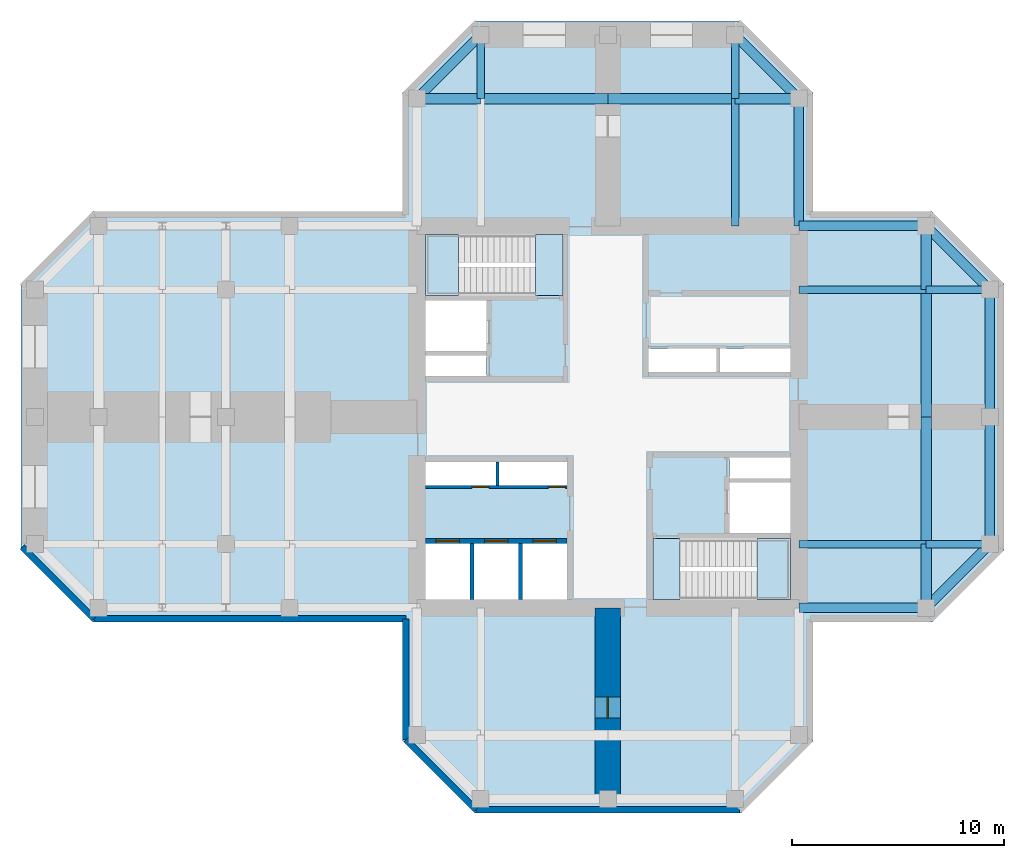
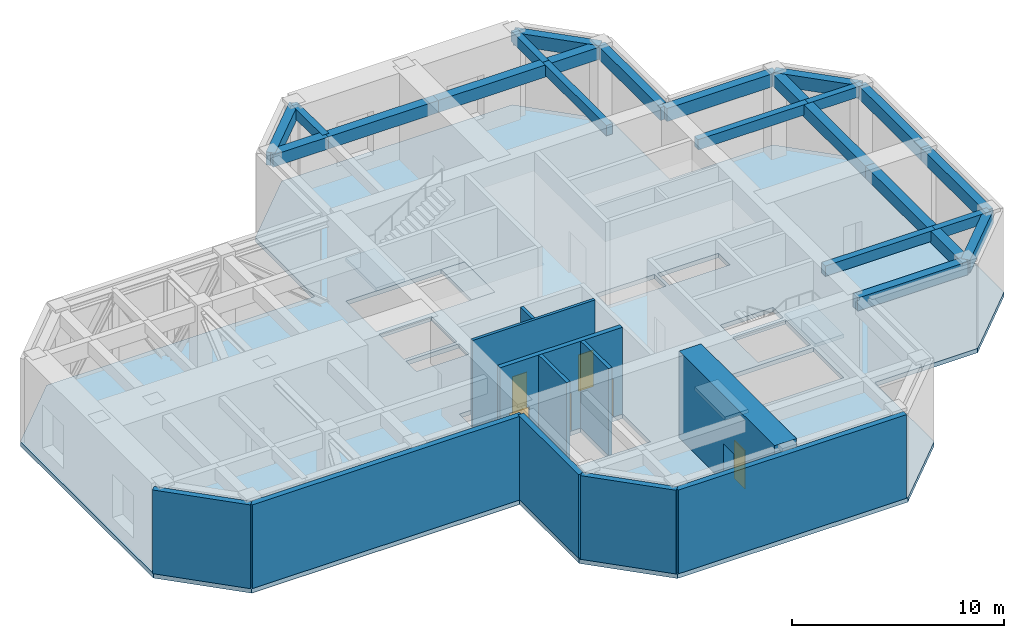
# One storey, part 3 of 6: 24 beams, 11 walls, 6 doors, 5 slabs, 6 openings, 2 elements without a shape of their own.
"""IFC4 building model written with IfcOpenShell, lengths in metres."""

from ifc_helpers import new_model, si_unit, direction, frame, frame_2d, origin, origin_2d, place, context, subcontext, project, spatial, polyline, rectangle, outline, extrude, material, layer, layer_set, constituent, constituent_set, material_profile, profile_set, type_object, element, fill, aggregate, save


model = new_model("IFC4")

# Units and contexts
model_context = context("Model", 3, precision=1e-05, world=origin(), true_north=direction((0.0, 1.0)))
body_context = subcontext(model_context, "Body", "Model", "MODEL_VIEW")
ifc_project = project(units=[si_unit("LENGTHUNIT", "METRE"), si_unit("AREAUNIT", "SQUARE_METRE"), si_unit("VOLUMEUNIT", "CUBIC_METRE"), si_unit("PLANEANGLEUNIT", "RADIAN"), si_unit("MASSUNIT", "GRAM", prefix="KILO")], contexts=[model_context])

# Site, building, storey
site_placement = place(None, origin())
site = spatial("IfcSite", under=ifc_project, at=site_placement, CompositionType="ELEMENT")
building_placement = place(site_placement, origin())
building = spatial("IfcBuilding", under=site, at=building_placement, Name="Torre Cruceta", CompositionType="ELEMENT")
storey_placement = place(building_placement, frame((0.0, 0.0, 252.699951171875)))
storey = spatial("IfcBuildingStorey", under=building, at=storey_placement, Name="L65", CompositionType="ELEMENT", Elevation=252.699951171875)

# Beams
ifc_material_1 = material(Name="Concrete G60 (fck 60 MPa)", Category="concrete")
ifc_material_profile_1 = material_profile(ifc_material_1, rectangle(XDim=0.35009765625, YDim=0.60009765625, at=origin_2d()), Name="RC 350X600")
ifc_profile_set_1 = profile_set([ifc_material_profile_1], Name="Concrete G60 (fck 60 MPa)")
beam_type_1 = type_object("IfcBeamType", Name="COLUMN LINE BEAM RC 350X600", PredefinedType="BEAM", material=ifc_profile_set_1)
beam_1_placement = place(storey_placement, frame((6.0, 9.0, 4.52001953125), z_axis=(0.0, 1.0, 0.0), x_axis=(-1.0, 0.0, 0.0)))
element("IfcBeam", 1, at=beam_1_placement, inside=storey, type_object=beam_type_1, Name="LB9 L65 N col- 1", PredefinedType="BEAM", context=body_context, shape_type="SweptSolid", body=[
    extrude(rectangle(XDim=0.35009765625, YDim=0.60009765625, at=origin_2d()), origin(), (0.0, 0.0, 1.0), 6.0),
])
for number, where, z_axis, x_axis, name in (
    (2, (6.0, 15.0, 4.52001953125), (0.0, 1.0, 0.0), (-1.0, 0.0, 0.0), "LB9 L65 N col- 2"),
    (3, (-6.0, 15.0, 4.52001953125), (0.0, 1.0, 0.0), (-1.0, 0.0, 0.0), "LB9 L65 N col+ 2"),
):
    element("IfcBeam", number, at=place(storey_placement, frame(where, z_axis=z_axis, x_axis=x_axis)), inside=storey, type_object=beam_type_1, Name=name, PredefinedType="BEAM", context=body_context, shape_type="SweptSolid", body=[
        extrude(rectangle(XDim=0.35009765625, YDim=0.60009765625, at=origin_2d()), origin(), (0.0, 0.0, 1.0), 3.0),
    ])
beam_2_placement = place(storey_placement, frame((9.0, -6.0, 4.52001953125), z_axis=(1.0, 0.0, 0.0), x_axis=(0.0, 1.0, 0.0)))
element("IfcBeam", 4, at=beam_2_placement, inside=storey, type_object=beam_type_1, Name="LB9 L65 E col- 1", PredefinedType="BEAM", context=body_context, shape_type="SweptSolid", body=[
    extrude(rectangle(XDim=0.35009765625, YDim=0.60009765625, at=origin_2d()), origin(), (0.0, 0.0, 1.0), 6.0),
])
beam_3_placement = place(storey_placement, frame((15.0, -6.0, 4.52001953125), z_axis=(1.0, 0.0, 0.0), x_axis=(0.0, 1.0, 0.0)))
element("IfcBeam", 5, at=beam_3_placement, inside=storey, type_object=beam_type_1, Name="LB9 L65 E col- 2", PredefinedType="BEAM", context=body_context, shape_type="SweptSolid", body=[
    extrude(rectangle(XDim=0.35009765625, YDim=0.60009765625, at=origin_2d()), origin(), (0.0, 0.0, 1.0), 3.0),
])
beam_4_placement = place(storey_placement, frame((9.0, 6.0, 4.52001953125), z_axis=(1.0, 0.0, 0.0), x_axis=(0.0, 1.0, 0.0)))
element("IfcBeam", 6, at=beam_4_placement, inside=storey, type_object=beam_type_1, Name="LB9 L65 E col+ 1", PredefinedType="BEAM", context=body_context, shape_type="SweptSolid", body=[
    extrude(rectangle(XDim=0.35009765625, YDim=0.60009765625, at=origin_2d()), origin(), (0.0, 0.0, 1.0), 6.0),
])
beam_5_placement = place(storey_placement, frame((15.0, 6.0, 4.52001953125), z_axis=(1.0, 0.0, 0.0), x_axis=(0.0, 1.0, 0.0)))
element("IfcBeam", 7, at=beam_5_placement, inside=storey, type_object=beam_type_1, Name="LB9 L65 E col+ 2", PredefinedType="BEAM", context=body_context, shape_type="SweptSolid", body=[
    extrude(rectangle(XDim=0.35009765625, YDim=0.60009765625, at=origin_2d()), origin(), (0.0, 0.0, 1.0), 3.0),
])
ifc_material_2 = material(Name="Concrete G60 (fck 60 MPa)", Category="concrete")
ifc_material_profile_2 = material_profile(ifc_material_2, rectangle(XDim=0.5, YDim=0.699951171875, at=origin_2d()), Name="RC 500X700")
ifc_profile_set_2 = profile_set([ifc_material_profile_2], Name="Concrete G60 (fck 60 MPa)")
beam_type_2 = type_object("IfcBeamType", Name="CROSS BEAM RC 500X700", PredefinedType="BEAM", material=ifc_profile_set_2)
beam_6_placement = place(storey_placement, frame((9.0, 15.0, 4.469970703125), z_axis=(-1.0, 0.0, 0.0), x_axis=(0.0, -1.0, 0.0)))
element("IfcBeam", 8, at=beam_6_placement, inside=storey, type_object=beam_type_2, Name="GB7 L65 N cross15 1", PredefinedType="BEAM", context=body_context, shape_type="SweptSolid", body=[
    extrude(rectangle(XDim=0.5, YDim=0.699951171875, at=origin_2d()), origin(), (0.0, 0.0, 1.0), 3.0),
])
for number, where, z_axis, x_axis, name in (
    (9, (6.0, 15.0, 4.469970703125), (-1.0, 0.0, 0.0), (0.0, -1.0, 0.0), "GB7 L65 N cross15 2"),
    (10, (0.0, 15.0, 4.469970703125), (-1.0, 0.0, 0.0), (0.0, -1.0, 0.0), "GB7 L65 N cross15 3"),
):
    element("IfcBeam", number, at=place(storey_placement, frame(where, z_axis=z_axis, x_axis=x_axis)), inside=storey, type_object=beam_type_2, Name=name, PredefinedType="BEAM", context=body_context, shape_type="SweptSolid", body=[
        extrude(rectangle(XDim=0.5, YDim=0.699951171875, at=origin_2d()), origin(), (0.0, 0.0, 1.0), 6.0),
    ])
for number, where, z_axis, x_axis, name in (
    (11, (-6.0, 15.0, 4.469970703125), (-1.0, 0.0, 0.0), (0.0, -1.0, 0.0), "GB7 L65 N cross15 4"),
    (12, (15.0, -9.0, 4.469970703125), (0.0, 1.0, 0.0), (-1.0, 0.0, 0.0), "GB7 L65 E cross15 1"),
):
    element("IfcBeam", number, at=place(storey_placement, frame(where, z_axis=z_axis, x_axis=x_axis)), inside=storey, type_object=beam_type_2, Name=name, PredefinedType="BEAM", context=body_context, shape_type="SweptSolid", body=[
        extrude(rectangle(XDim=0.5, YDim=0.699951171875, at=origin_2d()), origin(), (0.0, 0.0, 1.0), 3.0),
    ])
for number, where, z_axis, x_axis, name in (
    (13, (15.0, -6.0, 4.469970703125), (0.0, 1.0, 0.0), (-1.0, 0.0, 0.0), "GB7 L65 E cross15 2"),
    (14, (15.0, 0.0, 4.469970703125), (0.0, 1.0, 0.0), (-1.0, 0.0, 0.0), "GB7 L65 E cross15 3"),
):
    element("IfcBeam", number, at=place(storey_placement, frame(where, z_axis=z_axis, x_axis=x_axis)), inside=storey, type_object=beam_type_2, Name=name, PredefinedType="BEAM", context=body_context, shape_type="SweptSolid", body=[
        extrude(rectangle(XDim=0.5, YDim=0.699951171875, at=origin_2d()), origin(), (0.0, 0.0, 1.0), 6.0),
    ])
beam_7_placement = place(storey_placement, frame((15.0, 6.0, 4.469970703125), z_axis=(0.0, 1.0, 0.0), x_axis=(-1.0, 0.0, 0.0)))
element("IfcBeam", 15, at=beam_7_placement, inside=storey, type_object=beam_type_2, Name="GB7 L65 E cross15 4", PredefinedType="BEAM", context=body_context, shape_type="SweptSolid", body=[
    extrude(rectangle(XDim=0.5, YDim=0.699951171875, at=origin_2d()), origin(), (0.0, 0.0, 1.0), 3.0),
])
ifc_material_3 = material(Name="Concrete G60 (fck 60 MPa)", Category="concrete")
ifc_material_profile_3 = material_profile(ifc_material_3, rectangle(XDim=0.449951171875, YDim=0.75, at=origin_2d()), Name="RC 450X750")
ifc_profile_set_3 = profile_set([ifc_material_profile_3], Name="Concrete G60 (fck 60 MPa)")
beam_type_3 = type_object("IfcBeamType", Name="SPANDREL BEAM RC 450X750", PredefinedType="SPANDREL", material=ifc_profile_set_3)
beam_8_placement = place(storey_placement, frame((9.0, 9.0, 4.445068359375), z_axis=(0.0, 1.0, 0.0), x_axis=(-1.0, 0.0, 0.0)))
element("IfcBeam", 16, at=beam_8_placement, inside=storey, type_object=beam_type_3, Name="SB7 L65 N side- 1", PredefinedType="SPANDREL", context=body_context, shape_type="SweptSolid", body=[
    extrude(rectangle(XDim=0.449951171875, YDim=0.75, at=origin_2d()), origin(), (0.0, 0.0, 1.0), 6.0),
])
for number, where, z_axis, x_axis, name in (
    (17, (9.0, 15.0, 4.445068359375), (-0.707106781187, 0.707106781187, 0.0), (-0.707106781187, -0.707106781187, 0.0), "SB7 L65 N side- 2"),
    (18, (-9.0, 15.0, 4.445068359375), (0.707106781187, 0.707106781187, 0.0), (-0.707106781187, 0.707106781187, 0.0), "SB7 L65 N side+ 2"),
):
    element("IfcBeam", number, at=place(storey_placement, frame(where, z_axis=z_axis, x_axis=x_axis)), inside=storey, type_object=beam_type_3, Name=name, PredefinedType="SPANDREL", context=body_context, shape_type="SweptSolid", body=[
        extrude(rectangle(XDim=0.449951171875, YDim=0.75, at=origin_2d()), origin(), (0.0, 0.0, 1.0), 4.24267578125),
    ])
beam_9_placement = place(storey_placement, frame((9.0, -9.0, 4.445068359375), z_axis=(1.0, 0.0, 0.0), x_axis=(0.0, 1.0, 0.0)))
element("IfcBeam", 19, at=beam_9_placement, inside=storey, type_object=beam_type_3, Name="SB7 L65 E side- 1", PredefinedType="SPANDREL", context=body_context, shape_type="SweptSolid", body=[
    extrude(rectangle(XDim=0.449951171875, YDim=0.75, at=origin_2d()), origin(), (0.0, 0.0, 1.0), 6.0),
])
beam_10_placement = place(storey_placement, frame((15.0, -9.0, 4.445068359375), z_axis=(0.707106781187, 0.707106781187, 0.0), x_axis=(-0.707106781187, 0.707106781187, 0.0)))
element("IfcBeam", 20, at=beam_10_placement, inside=storey, type_object=beam_type_3, Name="SB7 L65 E side- 2", PredefinedType="SPANDREL", context=body_context, shape_type="SweptSolid", body=[
    extrude(rectangle(XDim=0.449951171875, YDim=0.75, at=origin_2d()), origin(), (0.0, 0.0, 1.0), 4.24267578125),
])
beam_11_placement = place(storey_placement, frame((9.0, 9.0, 4.445068359375), z_axis=(1.0, 0.0, 0.0), x_axis=(0.0, 1.0, 0.0)))
element("IfcBeam", 21, at=beam_11_placement, inside=storey, type_object=beam_type_3, Name="SB7 L65 E side+ 1", PredefinedType="SPANDREL", context=body_context, shape_type="SweptSolid", body=[
    extrude(rectangle(XDim=0.449951171875, YDim=0.75, at=origin_2d()), origin(), (0.0, 0.0, 1.0), 6.0),
])
beam_12_placement = place(storey_placement, frame((15.0, 9.0, 4.445068359375), z_axis=(0.707106781187, -0.707106781187, 0.0), x_axis=(0.707106781187, 0.707106781187, 0.0)))
element("IfcBeam", 22, at=beam_12_placement, inside=storey, type_object=beam_type_3, Name="SB7 L65 E side+ 2", PredefinedType="SPANDREL", context=body_context, shape_type="SweptSolid", body=[
    extrude(rectangle(XDim=0.449951171875, YDim=0.75, at=origin_2d()), origin(), (0.0, 0.0, 1.0), 4.24267578125),
])
for number, where, z_axis, x_axis, name in (
    (23, (18.0, -6.0, 4.445068359375), (0.0, 1.0, 0.0), (-1.0, 0.0, 0.0), "SB7 L65 E tip 1"),
    (24, (18.0, 0.0, 4.445068359375), (0.0, 1.0, 0.0), (-1.0, 0.0, 0.0), "SB7 L65 E tip 2"),
):
    element("IfcBeam", number, at=place(storey_placement, frame(where, z_axis=z_axis, x_axis=x_axis)), inside=storey, type_object=beam_type_3, Name=name, PredefinedType="SPANDREL", context=body_context, shape_type="SweptSolid", body=[
        extrude(rectangle(XDim=0.449951171875, YDim=0.75, at=origin_2d()), origin(), (0.0, 0.0, 1.0), 6.0),
    ])

# Slab
ifc_material_4 = material(Name="Concrete G35 (fck 35 MPa)", Category="concrete")
ifc_layer_1 = layer(ifc_material_4, 0.25)
ifc_layer_set_1 = layer_set([ifc_layer_1], Name="Concrete G35 (fck 35 MPa)")
slab_type_1 = type_object("IfcSlabType", Name="FLOOR SLAB 250", PredefinedType="FLOOR", material=ifc_layer_set_1)
slab_1_placement = place(storey_placement, frame((0.0, 0.0, -0.25)))
element("IfcSlab", 25, at=slab_1_placement, inside=storey, type_object=slab_type_1, Name="Floor Slab L65", PredefinedType="FLOOR", context=body_context, shape_type="SweptSolid", body=[
    extrude(outline(polyline([(9.669921875, -9.669921875), (9.669921875, -15.277587890625), (6.277587890625, -18.669921875), (-6.277587890625, -18.669921875), (-9.669921875, -15.277587890625), (-9.669921875, -9.669921875), (-24.277587890625, -9.669921875), (-27.669921875, -6.277587890625), (-27.669921875, 6.277587890625), (-24.277587890625, 9.669921875), (-9.669921875, 9.669921875), (-9.669921875, 15.277587890625), (-6.277587890625, 18.669921875), (6.277587890625, 18.669921875), (9.669921875, 15.277587890625), (9.669921875, 9.669921875), (15.277587890625, 9.669921875), (18.669921875, 6.277587890625), (18.669921875, -6.277587890625), (15.277587890625, -9.669921875), (9.669921875, -9.669921875)]), holes=[polyline([(1.925048828125, 2.125), (5.125, 2.125), (5.125, 3.22509765625), (1.925048828125, 3.22509765625), (1.925048828125, 2.125)]), polyline([(5.27490234375, 2.125), (8.60009765625, 2.125), (8.60009765625, 3.22509765625), (5.27490234375, 3.22509765625), (5.27490234375, 2.125)]), polyline([(-8.60009765625, 3.10009765625), (-5.72509765625, 3.10009765625), (-5.72509765625, 5.47509765625), (-8.60009765625, 5.47509765625), (-8.60009765625, 3.10009765625)]), polyline([(-8.60009765625, 1.925048828125), (-5.72509765625, 1.925048828125), (-5.72509765625, 2.89990234375), (-8.60009765625, 2.89990234375), (-8.60009765625, 1.925048828125)]), polyline([(-4.0166015625, -8.60009765625), (-1.925048828125, -8.60009765625), (-1.925048828125, -5.97509765625), (-4.0166015625, -5.97509765625), (-4.0166015625, -8.60009765625)]), polyline([(-6.308349609375, -8.60009765625), (-4.216552734375, -8.60009765625), (-4.216552734375, -5.97509765625), (-6.308349609375, -5.97509765625), (-6.308349609375, -8.60009765625)]), polyline([(-8.60009765625, -8.60009765625), (-6.50830078125, -8.60009765625), (-6.50830078125, -5.97509765625), (-8.60009765625, -5.97509765625), (-8.60009765625, -8.60009765625)]), polyline([(-5.125, -3.22509765625), (-1.925048828125, -3.22509765625), (-1.925048828125, -2.125), (-5.125, -2.125), (-5.125, -3.22509765625)]), polyline([(-8.60009765625, -3.22509765625), (-5.27490234375, -3.22509765625), (-5.27490234375, -2.125), (-8.60009765625, -2.125), (-8.60009765625, -3.22509765625)]), polyline([(5.72509765625, -5.47509765625), (8.60009765625, -5.47509765625), (8.60009765625, -3.10009765625), (5.72509765625, -3.10009765625), (5.72509765625, -5.47509765625)]), polyline([(5.72509765625, -2.89990234375), (8.60009765625, -2.89990234375), (8.60009765625, -1.925048828125), (5.72509765625, -1.925048828125), (5.72509765625, -2.89990234375)]), polyline([(-8.60009765625, 5.72509765625), (-8.60009765625, 8.60009765625), (-3.39990234375, 8.60009765625), (-2.125, 8.60009765625), (-2.125, 5.72509765625), (-3.39990234375, 5.72509765625), (-8.60009765625, 5.72509765625)]), polyline([(2.125, -5.72509765625), (3.39990234375, -5.72509765625), (8.60009765625, -5.72509765625), (8.60009765625, -8.60009765625), (3.39990234375, -8.60009765625), (2.125, -8.60009765625), (2.125, -5.72509765625)])]), origin(), (0.0, 0.0, 1.0), 0.25),
])

# Stair, slab
ifc_material_5 = material(Name="Concrete G30 (fck 30 MPa)", Category="concrete")
stair_type = type_object("IfcStairType", Name="STAIR HALF-TURN 1300", PredefinedType="HALF_TURN_STAIR", material=ifc_material_5)
stair_1_placement = place(storey_placement, origin())
stair_1 = element("IfcStair", 26, at=stair_1_placement, inside=storey, type_object=stair_type, Name="Stair ST1 L65", PredefinedType="HALF_TURN_STAIR")
ifc_material_6 = material(Name="Concrete G30 (fck 30 MPa)", Category="concrete")
ifc_layer_2 = layer(ifc_material_6, 0.199951171875)
ifc_layer_set_2 = layer_set([ifc_layer_2], Name="Concrete G30 (fck 30 MPa)")
slab_type_2 = type_object("IfcSlabType", Name="STAIR LANDING 200", PredefinedType="LANDING", material=ifc_layer_set_2)
slab_2_placement = place(storey_placement, frame((0.0, 0.0, 2.300048828125)))
slab_2 = element("IfcSlab", 27, at=slab_2_placement, type_object=slab_type_2, Name="ST1 landing 1", PredefinedType="LANDING", context=body_context, shape_type="SweptSolid", body=[
    extrude(outline(polyline([(-8.60009765625, 5.72509765625), (-7.0400390625, 5.72509765625), (-7.0400390625, 8.60009765625), (-8.60009765625, 8.60009765625), (-8.60009765625, 5.72509765625)])), origin(), (0.0, 0.0, 1.0), 0.199951171875),
])
aggregate(stair_1, [slab_2])

stair_2_placement = place(storey_placement, origin())
stair_2 = element("IfcStair", 28, at=stair_2_placement, inside=storey, type_object=stair_type, Name="Stair ST2 L65", PredefinedType="HALF_TURN_STAIR")
slab_3_placement = place(storey_placement, frame((0.0, 0.0, 2.300048828125)))
slab_3 = element("IfcSlab", 29, at=slab_3_placement, type_object=slab_type_2, Name="ST2 landing 1", PredefinedType="LANDING", context=body_context, shape_type="SweptSolid", body=[
    extrude(outline(polyline([(7.0400390625, -8.60009765625), (8.60009765625, -8.60009765625), (8.60009765625, -5.72509765625), (7.0400390625, -5.72509765625), (7.0400390625, -8.60009765625)])), origin(), (0.0, 0.0, 1.0), 0.199951171875),
])
aggregate(stair_2, [slab_3])

# Slabs
slab_4_placement = place(storey_placement, frame((0.0, 0.0, -0.199951171875)))
element("IfcSlab", 30, at=slab_4_placement, inside=storey, type_object=slab_type_2, Name="Stair ST1 floor landing L65", PredefinedType="LANDING", context=body_context, shape_type="SweptSolid", body=[
    extrude(outline(polyline([(-2.125, 8.60009765625), (-2.125, 5.72509765625), (-3.39990234375, 5.72509765625), (-3.39990234375, 8.60009765625), (-2.125, 8.60009765625)])), origin(), (0.0, 0.0, 1.0), 0.199951171875),
])
slab_5_placement = place(storey_placement, frame((0.0, 0.0, -0.199951171875)))
element("IfcSlab", 31, at=slab_5_placement, inside=storey, type_object=slab_type_2, Name="Stair ST2 floor landing L65", PredefinedType="LANDING", context=body_context, shape_type="SweptSolid", body=[
    extrude(outline(polyline([(2.125, -8.60009765625), (2.125, -5.72509765625), (3.39990234375, -5.72509765625), (3.39990234375, -8.60009765625), (2.125, -8.60009765625)])), origin(), (0.0, 0.0, 1.0), 0.199951171875),
])

# Wall, openings, doors
ifc_material_7 = material(Name="Concrete G60 (fck 60 MPa)", Category="concrete")
ifc_layer_3 = layer(ifc_material_7, 0.25)
ifc_layer_set_3 = layer_set([ifc_layer_3], Name="Concrete G60 (fck 60 MPa)")
wall_type_1 = type_object("IfcWallType", Name="CORE INNER WALL 250 G60", PredefinedType="SHEAR", material=ifc_layer_set_3)
wall_1_placement = place(storey_placement, frame((-1.925048828125, -5.85009765625, 0.0), z_axis=(0.0, 0.0, 1.0), x_axis=(-1.0, 0.0, 0.0)))
wall_1 = element("IfcWall", 32, at=wall_1_placement, inside=storey, type_object=wall_type_1, Name="CW4 L65 SW-LV", PredefinedType="SHEAR", context=body_context, shape_type="SweptSolid", body=[
    extrude(rectangle(XDim=6.675048828125, YDim=0.25, at=frame_2d((3.33740234375, 0.0))), origin(), (0.0, 0.0, 1.0), 5.0),
])
opening_1_placement = place(wall_1_placement, frame((0.495849609375, 0.0, 0.0)))
opening_1 = element("IfcOpeningElement", 33, at=opening_1_placement, cuts=wall_1, Name="Opening LD1", PredefinedType="OPENING", context=body_context, shape_type="SweptSolid", body=[
    extrude(rectangle(XDim=1.10009765625, YDim=2.199951171875, at=frame_2d((0.550048828125, 1.10009765625))), frame((0.0, 0.135009765625, 0.0), z_axis=(0.0, -1.0, 0.0), x_axis=(1.0, 0.0, 0.0)), (0.0, 0.0, 1.0), 0.27001953125),
])
opening_2_placement = place(wall_1_placement, frame((2.78759765625, 0.0, 0.0)))
opening_2 = element("IfcOpeningElement", 34, at=opening_2_placement, cuts=wall_1, Name="Opening LD1", PredefinedType="OPENING", context=body_context, shape_type="SweptSolid", body=[
    extrude(rectangle(XDim=1.10009765625, YDim=2.199951171875, at=frame_2d((0.550048828125, 1.10009765625))), frame((0.0, 0.135009765625, 0.0), z_axis=(0.0, -1.0, 0.0), x_axis=(1.0, 0.0, 0.0)), (0.0, 0.0, 1.0), 0.27001953125),
])
opening_3_placement = place(wall_1_placement, frame((5.0791015625, 0.0, 0.0)))
opening_3 = element("IfcOpeningElement", 35, at=opening_3_placement, cuts=wall_1, Name="Opening LD1", PredefinedType="OPENING", context=body_context, shape_type="SweptSolid", body=[
    extrude(rectangle(XDim=1.10009765625, YDim=2.199951171875, at=frame_2d((0.550048828125, 1.10009765625))), frame((0.0, 0.135009765625, 0.0), z_axis=(0.0, -1.0, 0.0), x_axis=(1.0, 0.0, 0.0)), (0.0, 0.0, 1.0), 0.27001953125),
])
ifc_material_8 = material(Name="Stainless steel 1.4401", Category="steel")
door_type_1 = type_object("IfcDoorType", Name="LIFT LANDING DOOR 1100X2200", OperationType="DOUBLE_DOOR_SLIDING", PredefinedType="DOOR", material=ifc_material_8)
door_1_placement = place(opening_1_placement, origin())
door_1 = element("IfcDoor", 36, at=door_1_placement, inside=storey, type_object=door_type_1, Name="Lift landing door R1", OperationType="DOUBLE_DOOR_SLIDING", OverallHeight=2.199951171875, OverallWidth=1.10009765625, PredefinedType="DOOR", context=body_context, shape_type="SweptSolid", body=[
    extrude(rectangle(XDim=1.10009765625, YDim=2.199951171875, at=frame_2d((0.550048828125, 1.10009765625))), frame((0.0, 0.02490234375, 0.0), z_axis=(0.0, -1.0, 0.0), x_axis=(1.0, 0.0, 0.0)), (0.0, 0.0, 1.0), 0.050048828125),
])
fill(opening_1, door_1)
door_2_placement = place(opening_2_placement, origin())
door_2 = element("IfcDoor", 37, at=door_2_placement, inside=storey, type_object=door_type_1, Name="Lift landing door R2", OperationType="DOUBLE_DOOR_SLIDING", OverallHeight=2.199951171875, OverallWidth=1.10009765625, PredefinedType="DOOR", context=body_context, shape_type="SweptSolid", body=[
    extrude(rectangle(XDim=1.10009765625, YDim=2.199951171875, at=frame_2d((0.550048828125, 1.10009765625))), frame((0.0, 0.02490234375, 0.0), z_axis=(0.0, -1.0, 0.0), x_axis=(1.0, 0.0, 0.0)), (0.0, 0.0, 1.0), 0.050048828125),
])
fill(opening_2, door_2)
door_3_placement = place(opening_3_placement, origin())
door_3 = element("IfcDoor", 38, at=door_3_placement, inside=storey, type_object=door_type_1, Name="Lift landing door R3", OperationType="DOUBLE_DOOR_SLIDING", OverallHeight=2.199951171875, OverallWidth=1.10009765625, PredefinedType="DOOR", context=body_context, shape_type="SweptSolid", body=[
    extrude(rectangle(XDim=1.10009765625, YDim=2.199951171875, at=frame_2d((0.550048828125, 1.10009765625))), frame((0.0, 0.02490234375, 0.0), z_axis=(0.0, -1.0, 0.0), x_axis=(1.0, 0.0, 0.0)), (0.0, 0.0, 1.0), 0.050048828125),
])
fill(opening_3, door_3)

# Walls
ifc_material_9 = material(Name="Concrete G30 (fck 30 MPa)", Category="concrete")
ifc_layer_4 = layer(ifc_material_9, 0.300048828125)
ifc_layer_set_4 = layer_set([ifc_layer_4], Name="Concrete G30 (fck 30 MPa)")
wall_type_2 = type_object("IfcWallType", Name="EXPOSED CONCRETE FACADE WALL 300", PredefinedType="SOLIDWALL", material=ifc_layer_set_4)
wall_2_placement = place(storey_placement, frame((-27.60009765625, -6.135498046875, 0.0), z_axis=(0.0, 0.0, 1.0), x_axis=(0.707132283189, -0.707081278264, 0.0)))
element("IfcWall", 39, at=wall_2_placement, inside=storey, type_object=wall_type_2, Name="EW1 facade wall L65 W chamfer 13", PredefinedType="SOLIDWALL", context=body_context, shape_type="SweptSolid", body=[
    extrude(rectangle(XDim=4.78662109375, YDim=0.300048828125, at=frame_2d((2.393310546875, 0.0))), origin(), (0.0, 0.0, 1.0), 4.820068359375),
])
wall_3_placement = place(storey_placement, frame((-24.21533203125, -9.52001953125, 0.0), z_axis=(0.0, 0.0, 1.0), x_axis=(1.0, 0.0, 0.0)))
element("IfcWall", 40, at=wall_3_placement, inside=storey, type_object=wall_type_2, Name="EW1 facade wall L65 W side 14", PredefinedType="SOLIDWALL", context=body_context, shape_type="SweptSolid", body=[
    extrude(rectangle(XDim=14.6953125, YDim=0.300048828125, at=frame_2d((7.34765625, 0.0))), origin(), (0.0, 0.0, 1.0), 4.820068359375),
])
wall_4_placement = place(storey_placement, frame((-9.52001953125, -9.52001953125, 0.0), z_axis=(0.0, 0.0, 1.0), x_axis=(0.0, -1.0, 0.0)))
element("IfcWall", 41, at=wall_4_placement, inside=storey, type_object=wall_type_2, Name="EW1 facade wall L65 S side 15", PredefinedType="SOLIDWALL", context=body_context, shape_type="SweptSolid", body=[
    extrude(rectangle(XDim=5.6953125, YDim=0.300048828125, at=frame_2d((2.84765625, 0.0))), origin(), (0.0, 0.0, 1.0), 4.820068359375),
])
wall_5_placement = place(storey_placement, frame((-9.52001953125, -15.21533203125, 0.0), z_axis=(0.0, 0.0, 1.0), x_axis=(0.707106781187, -0.707106781187, 0.0)))
element("IfcWall", 42, at=wall_5_placement, inside=storey, type_object=wall_type_2, Name="EW1 facade wall L65 S chamfer 16", PredefinedType="SOLIDWALL", context=body_context, shape_type="SweptSolid", body=[
    extrude(rectangle(XDim=4.673583984375, YDim=0.300048828125, at=frame_2d((2.3369140625, 0.0))), origin(), (0.0, 0.0, 1.0), 4.820068359375),
])
wall_6_placement = place(storey_placement, frame((-6.21533203125, -18.52001953125, 0.0), z_axis=(0.0, 0.0, 1.0), x_axis=(1.0, 0.0, 0.0)))
element("IfcWall", 43, at=wall_6_placement, inside=storey, type_object=wall_type_2, Name="EW1 facade wall L65 S tip 17", PredefinedType="SOLIDWALL", context=body_context, shape_type="SweptSolid", body=[
    extrude(rectangle(XDim=12.4306640625, YDim=0.300048828125, at=frame_2d((6.21533203125, 0.0))), origin(), (0.0, 0.0, 1.0), 4.820068359375),
])
ifc_material_10 = material(Name="Concrete G35 (fck 35 MPa)", Category="concrete")
ifc_layer_5 = layer(ifc_material_10, 0.199951171875)
ifc_layer_set_5 = layer_set([ifc_layer_5], Name="Concrete G35 (fck 35 MPa)")
wall_type_3 = type_object("IfcWallType", Name="LIFT SHAFT WALL 200", PredefinedType="PARTITIONING", material=ifc_layer_set_5)
for number, where, z_axis, x_axis, name in (
    (44, (-4.11669921875, -5.97509765625, 0.0), (0.0, 0.0, 1.0), (0.0, -1.0, 0.0), "SW1 L65 SW-LS1"),
    (45, (-6.408447265625, -5.97509765625, 0.0), (0.0, 0.0, 1.0), (0.0, -1.0, 0.0), "SW1 L65 SW-LS2"),
):
    element("IfcWall", number, at=place(storey_placement, frame(where, z_axis=z_axis, x_axis=x_axis)), inside=storey, type_object=wall_type_3, Name=name, PredefinedType="PARTITIONING", context=body_context, shape_type="SweptSolid", body=[
        extrude(rectangle(XDim=2.625, YDim=0.199951171875, at=frame_2d((1.3125, 0.0))), origin(), (0.0, 0.0, 1.0), 5.0),
    ])

# Wall, openings, doors
ifc_material_11 = material(Name="Concrete block masonry", Category="masonry")
ifc_layer_6 = layer(ifc_material_11, 0.14990234375)
ifc_layer_set_6 = layer_set([ifc_layer_6], Name="Concrete block masonry")
wall_type_4 = type_object("IfcWallType", Name="RISER WALL 150", PredefinedType="PARTITIONING", material=ifc_layer_set_6)
wall_7_placement = place(storey_placement, frame((-1.925048828125, -3.300048828125, 0.0), z_axis=(0.0, 0.0, 1.0), x_axis=(-1.0, 0.0, 0.0)))
wall_7 = element("IfcWall", 46, at=wall_7_placement, inside=storey, type_object=wall_type_4, Name="SW7 L65 SW-RV", PredefinedType="PARTITIONING", context=body_context, shape_type="SweptSolid", body=[
    extrude(rectangle(XDim=6.675048828125, YDim=0.14990234375, at=frame_2d((3.33740234375, 0.0))), origin(), (0.0, 0.0, 1.0), 5.0),
])
opening_4_placement = place(wall_7_placement, frame((0.074951171875, 0.0, 0.0)))
opening_4 = element("IfcOpeningElement", 47, at=opening_4_placement, cuts=wall_7, Name="Opening D5", PredefinedType="OPENING", context=body_context, shape_type="SweptSolid", body=[
    extrude(rectangle(XDim=0.800048828125, YDim=2.10009765625, at=frame_2d((0.39990234375, 1.050048828125))), frame((0.0, 0.0849609375, 0.0), z_axis=(0.0, -1.0, 0.0), x_axis=(1.0, 0.0, 0.0)), (0.0, 0.0, 1.0), 0.169921875),
])
opening_5_placement = place(wall_7_placement, frame((3.675048828125, 0.0, 0.0)))
opening_5 = element("IfcOpeningElement", 48, at=opening_5_placement, cuts=wall_7, Name="Opening D5", PredefinedType="OPENING", context=body_context, shape_type="SweptSolid", body=[
    extrude(rectangle(XDim=0.800048828125, YDim=2.10009765625, at=frame_2d((0.39990234375, 1.050048828125))), frame((0.0, 0.0849609375, 0.0), z_axis=(0.0, -1.0, 0.0), x_axis=(1.0, 0.0, 0.0)), (0.0, 0.0, 1.0), 0.169921875),
])
ifc_material_12 = material(Name="Steel DX51D", Category="steel")
ifc_constituent_1 = constituent(ifc_material_12, Name="Leaf and frame")
ifc_material_13 = material(Name="Polyester powder coating", Category="paint")
ifc_constituent_2 = constituent(ifc_material_13, Name="Finish")
ifc_constituent_set_1 = constituent_set(constituents=[ifc_constituent_1, ifc_constituent_2], Name="Steel fire door")
door_type_2 = type_object("IfcDoorType", Name="RISER ACCESS DOOR 800X2100", OperationType="SINGLE_SWING_LEFT", PredefinedType="DOOR", material=ifc_constituent_set_1)
door_4_placement = place(opening_4_placement, frame((0.800048828125, 0.0, 0.0), z_axis=(0.0, 0.0, 1.0), x_axis=(-1.0, 0.0, 0.0)))
door_4 = element("IfcDoor", 49, at=door_4_placement, inside=storey, type_object=door_type_2, Name="D5 L65 SW-RISER1", OperationType="SINGLE_SWING_RIGHT", OverallHeight=2.10009765625, OverallWidth=0.800048828125, PredefinedType="DOOR", context=body_context, shape_type="SweptSolid", body=[
    extrude(rectangle(XDim=0.800048828125, YDim=2.10009765625, at=frame_2d((0.400146484375, 1.050048828125))), frame((0.0, 0.025146484375, 0.0), z_axis=(0.0, -1.0, 0.0), x_axis=(1.0, 0.0, 0.0)), (0.0, 0.0, 1.0), 0.050048828125),
])
fill(opening_4, door_4)
door_5_placement = place(opening_5_placement, frame((0.800048828125, 0.0, 0.0), z_axis=(0.0, 0.0, 1.0), x_axis=(-1.0, 0.0, 0.0)))
door_5 = element("IfcDoor", 50, at=door_5_placement, inside=storey, type_object=door_type_2, Name="D5 L65 SW-RISER2", OperationType="SINGLE_SWING_RIGHT", OverallHeight=2.10009765625, OverallWidth=0.800048828125, PredefinedType="DOOR", context=body_context, shape_type="SweptSolid", body=[
    extrude(rectangle(XDim=0.800048828125, YDim=2.10009765625, at=frame_2d((0.400146484375, 1.050048828125))), frame((0.0, 0.025146484375, 0.0), z_axis=(0.0, -1.0, 0.0), x_axis=(1.0, 0.0, 0.0)), (0.0, 0.0, 1.0), 0.050048828125),
])
fill(opening_5, door_5)

# Wall
wall_8_placement = place(storey_placement, frame((-5.199951171875, -2.125, 0.0), z_axis=(0.0, 0.0, 1.0), x_axis=(0.0, -1.0, 0.0)))
element("IfcWall", 51, at=wall_8_placement, inside=storey, type_object=wall_type_4, Name="SW7 L65 SW-RU", PredefinedType="PARTITIONING", context=body_context, shape_type="SweptSolid", body=[
    extrude(rectangle(XDim=1.10009765625, YDim=0.14990234375, at=frame_2d((0.550048828125, 0.0))), origin(), (0.0, 0.0, 1.0), 5.0),
])

# Wall, opening, door
ifc_material_14 = material(Name="Concrete G60 (fck 60 MPa)", Category="concrete")
ifc_layer_7 = layer(ifc_material_14, 1.199951171875)
ifc_layer_set_7 = layer_set([ifc_layer_7], Name="Concrete G60 (fck 60 MPa)")
wall_type_5 = type_object("IfcWallType", Name="SPINE WALL 1200 G60", PredefinedType="SHEAR", material=ifc_layer_set_7)
wall_9_placement = place(storey_placement, frame((0.0, -9.0, 0.0), z_axis=(0.0, 0.0, 1.0), x_axis=(0.0, -1.0, 0.0)))
wall_9 = element("IfcWall", 52, at=wall_9_placement, inside=storey, type_object=wall_type_5, Name="SW3 spine wall L65 S", PredefinedType="SHEAR", context=body_context, shape_type="SweptSolid", body=[
    extrude(rectangle(XDim=9.0, YDim=1.199951171875, at=frame_2d((4.5, 0.0))), origin(), (0.0, 0.0, 1.0), 5.0),
])
opening_6_placement = place(wall_9_placement, frame((4.199951171875, 0.0, 0.0)))
opening_6 = element("IfcOpeningElement", 53, at=opening_6_placement, cuts=wall_9, Name="Opening D14", PredefinedType="OPENING", context=body_context, shape_type="SweptSolid", body=[
    extrude(rectangle(XDim=1.0, YDim=2.199951171875, at=frame_2d((0.5, 1.10009765625))), frame((0.0, 0.60986328125, 0.0), z_axis=(0.0, -1.0, 0.0), x_axis=(1.0, 0.0, 0.0)), (0.0, 0.0, 1.0), 1.219970703125),
])
ifc_material_15 = material(Name="Steel DX51D", Category="steel")
ifc_constituent_3 = constituent(ifc_material_15, Name="Leaf and frame")
ifc_material_16 = material(Name="Polyester powder coating", Category="paint")
ifc_constituent_4 = constituent(ifc_material_16, Name="Finish")
ifc_material_17 = material(Name="Fire-resisting glass", Category="glass")
ifc_constituent_5 = constituent(ifc_material_17, Name="Vision panel")
ifc_constituent_set_2 = constituent_set(constituents=[ifc_constituent_3, ifc_constituent_4, ifc_constituent_5], Name="Steel fire door with vision panel")
door_type_3 = type_object("IfcDoorType", Name="FIRE DOOR VISION PANEL 1000X2200", OperationType="SINGLE_SWING_RIGHT", PredefinedType="DOOR", material=ifc_constituent_set_2)
door_6_placement = place(opening_6_placement, frame((1.0, 0.0, 0.0), z_axis=(0.0, 0.0, 1.0), x_axis=(-1.0, 0.0, 0.0)))
door_6 = element("IfcDoor", 54, at=door_6_placement, inside=storey, type_object=door_type_3, Name="D14 L65-S-SP1", OperationType="SINGLE_SWING_RIGHT", OverallHeight=2.199951171875, OverallWidth=1.0, PredefinedType="DOOR", context=body_context, shape_type="SweptSolid", body=[
    extrude(rectangle(XDim=1.0, YDim=2.199951171875, at=frame_2d((0.5, 1.10009765625))), frame((0.0, 0.025146484375, 0.0), z_axis=(0.0, -1.0, 0.0), x_axis=(1.0, 0.0, 0.0)), (0.0, 0.0, 1.0), 0.050048828125),
])
fill(opening_6, door_6)

save(model, "model.ifc")
